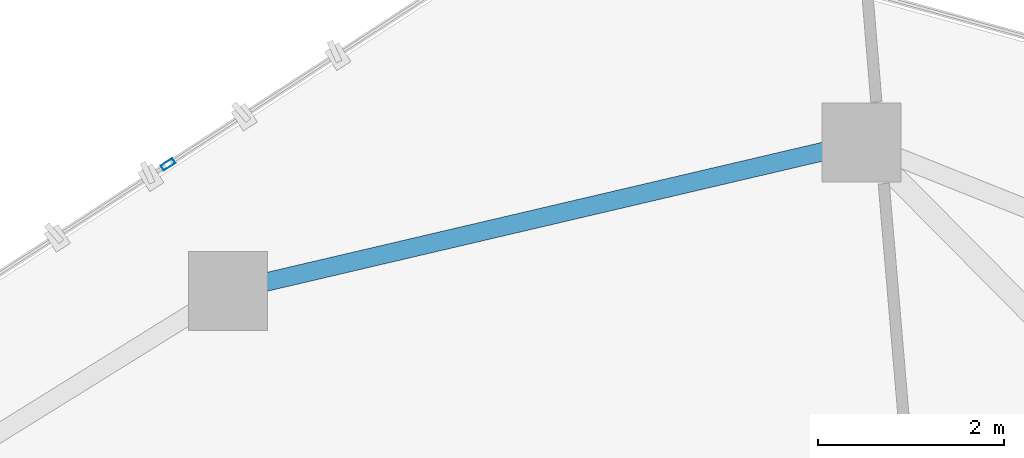
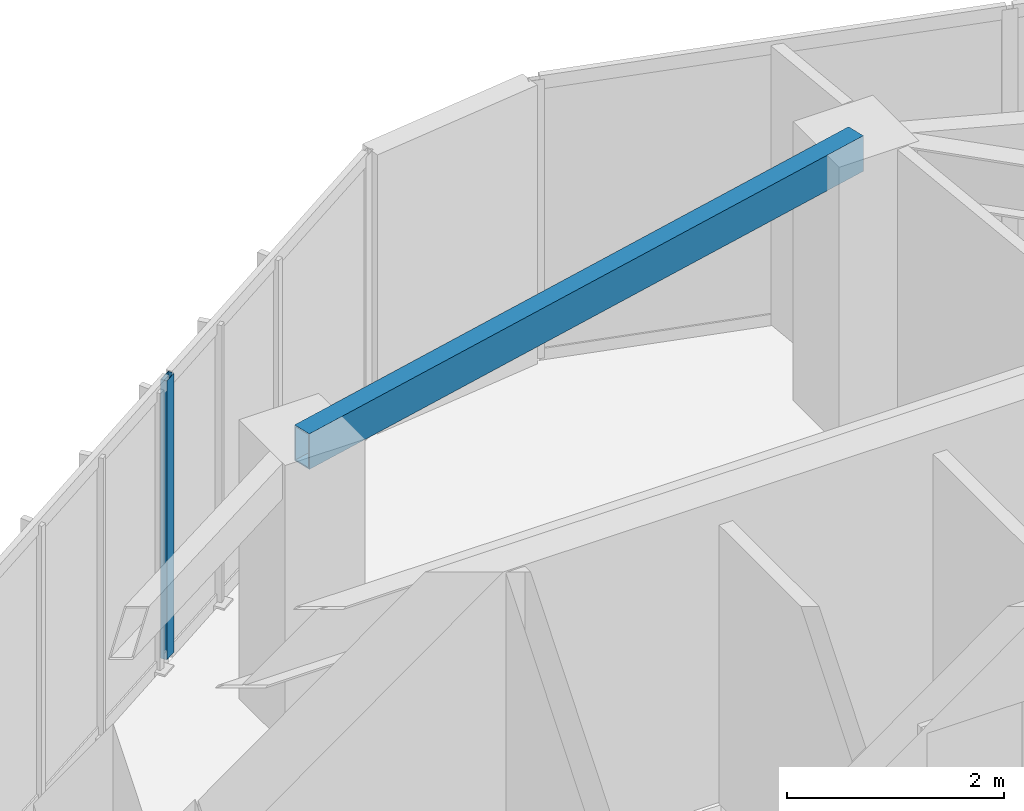
# One storey, part 11 of 20: 1 beam, 1 member, 1 element without a shape of its own.
"""IFC4 building model written with IfcOpenShell, lengths in metres."""

from ifc_helpers import new_model, si_unit, direction, frame, origin, origin_2d, place, context, subcontext, project, spatial, hollow_rectangle, extrude, source, transform, mapped, material, layer, layer_set, material_profile, profile_set, type_object, type_shapes, element, aggregate, save


model = new_model("IFC4")

# Units and contexts
model_context = context("Model", 3, precision=1e-05, world=origin(), true_north=direction((0.0, 1.0)))
body_context = subcontext(model_context, "Body", "Model", "MODEL_VIEW")
ifc_project = project(units=[si_unit("LENGTHUNIT", "METRE"), si_unit("AREAUNIT", "SQUARE_METRE"), si_unit("VOLUMEUNIT", "CUBIC_METRE"), si_unit("PLANEANGLEUNIT", "RADIAN"), si_unit("MASSUNIT", "GRAM", prefix="KILO")], contexts=[model_context])

# Site, building, storey
site_placement = place(None, origin())
site = spatial("IfcSite", under=ifc_project, at=site_placement, CompositionType="ELEMENT")
building_placement = place(site_placement, origin())
building = spatial("IfcBuilding", under=site, at=building_placement, Name="Talar Marvaseh", CompositionType="ELEMENT")
storey_placement = place(building_placement, frame((0.0, 0.0, 247.60009765625)))
storey = spatial("IfcBuildingStorey", under=building, at=storey_placement, Name="L65", CompositionType="ELEMENT", Elevation=247.60009765625)

# Beam
ifc_material_1 = material(Name="Steel S355", Category="steel")
ifc_material_profile_1 = material_profile(ifc_material_1, hollow_rectangle(XDim=0.199951171875, YDim=0.39990234375, WallThickness=0.013916015625, at=origin_2d()), Name="RHS400x200x14")
ifc_profile_set_1 = profile_set([ifc_material_profile_1], Name="Steel S355")
beam_type = type_object("IfcBeamType", Name="Zone 3 Perimeter Spandrel Beam RHS400x200x14", PredefinedType="SPANDREL", material=ifc_profile_set_1)
beam_placement = place(storey_placement, frame((22.364990234375, 39.4541015625, 2.93994140625), z_axis=(0.973655602276, 0.228023613157, 0.0), x_axis=(-0.228023613157, 0.973655602276, 0.0)))
element("IfcBeam", 1, at=beam_placement, inside=storey, type_object=beam_type, Name="L65 Zone 3 Perimeter Spandrel Beam RHS400x200x14", PredefinedType="SPANDREL", context=body_context, shape_type="SweptSolid", body=[
    extrude(hollow_rectangle(XDim=0.199951171875, YDim=0.39990234375, WallThickness=0.013916015625, at=origin_2d()), origin(), (0.0, 0.0, 1.0), 7.007568359375),
])

# Curtain wall, member
ifc_material_2 = material(Name="Architectural Aluminium", Category="aluminium")
ifc_layer = layer(ifc_material_2, 0.179931640625)
ifc_layer_set = layer_set([ifc_layer], Name="Architectural Aluminium")
curtain_wall_type = type_object("IfcCurtainWallType", Name="Unitised High-Wind Sky Curtain Wall Z4", PredefinedType="NOTDEFINED", material=ifc_layer_set)
curtain_wall_placement = place(storey_placement, origin())
curtain_wall = element("IfcCurtainWall", 2, at=curtain_wall_placement, inside=storey, type_object=curtain_wall_type, Name="L65 Unitised High-Wind Sky Curtain Wall Z4", PredefinedType="NOTDEFINED")
ifc_material_profile_2 = material_profile(ifc_material_2, hollow_rectangle(XDim=0.06494140625, YDim=0.14990234375, WallThickness=0.00390625, at=origin_2d()), Name="RHS150x65x4")
ifc_profile_set_2 = profile_set([ifc_material_profile_2], Name="Architectural Aluminium")
member_type = type_object("IfcMemberType", Name="Unitised Curtain Wall Slim Mullion RHS150x65x4", PredefinedType="MULLION", material=ifc_profile_set_2)
shared_shape = source(origin(), body_context, "Body", "SweptSolid", [
    extrude(hollow_rectangle(XDim=0.06494140625, YDim=0.14990234375, WallThickness=0.00390625, at=origin_2d()), origin(), (0.0, 0.0, 1.0), 3.139892578125),
])
type_shapes(member_type, [shared_shape])
member_placement = place(storey_placement, frame((21.719482421875, 40.817626953125, 0.0), z_axis=(0.0, 0.0, 1.0), x_axis=(-0.543646288387, 0.839314430427, 0.0)))
member = element("IfcMember", 3, at=member_placement, type_object=member_type, Name="CW-Z4 mullion 3", PredefinedType="MULLION", context=body_context, shape_type="MappedRepresentation", body=[
    mapped(shared_shape, transform((0.0, 0.0, 0.0), x_axis=(1.0, 0.0, 0.0), y_axis=(0.0, 1.0, 0.0), z_axis=(0.0, 0.0, 1.0), scale=1.0)),
])
aggregate(curtain_wall, [member])

save(model, "model.ifc")
